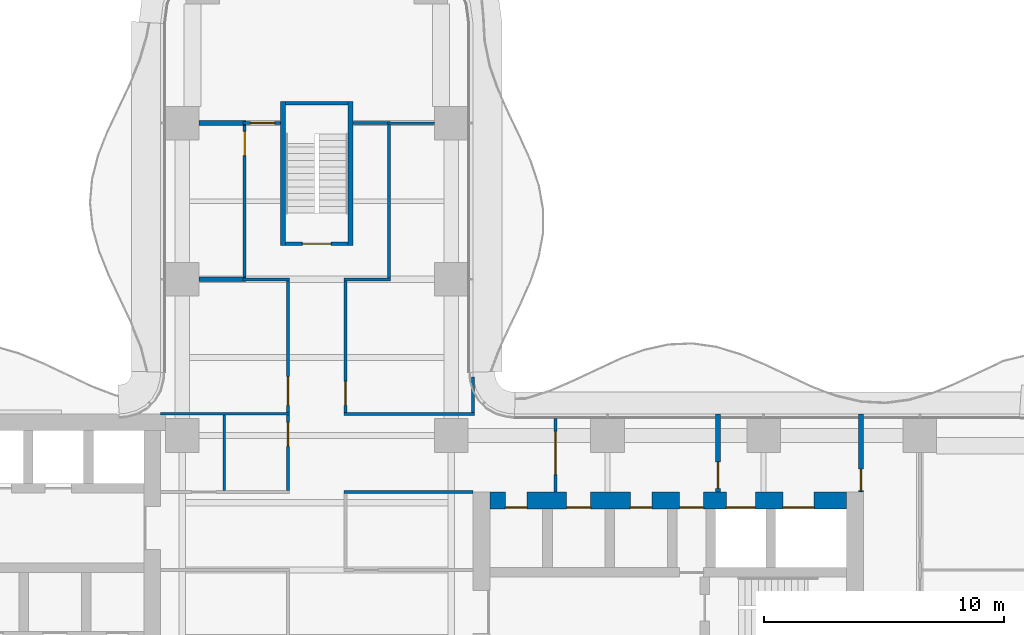
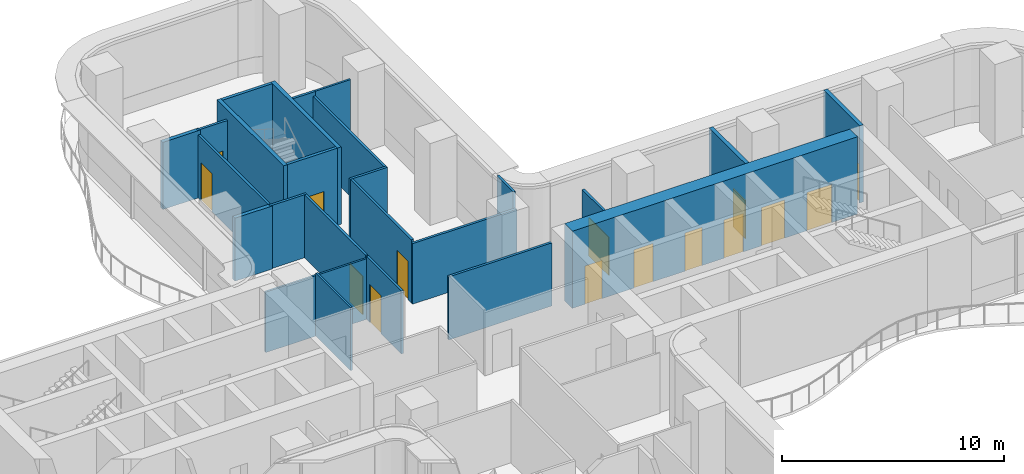
# One storey, part 19 of 22: 25 walls, 15 doors, 15 openings.
"""IFC4 building model written with IfcOpenShell, lengths in metres."""

from ifc_helpers import new_model, si_unit, direction, frame, frame_2d, origin, place, context, subcontext, project, spatial, rectangle, extrude, source, transform, mapped, material, layer, layer_set, type_object, element, fill, save


model = new_model("IFC4")

# Units and contexts
model_context = context("Model", 3, precision=1e-05, world=origin(), true_north=direction((0.0, 1.0)))
body_context = subcontext(model_context, "Body", "Model", "MODEL_VIEW")
ifc_project = project(units=[si_unit("LENGTHUNIT", "METRE"), si_unit("AREAUNIT", "SQUARE_METRE"), si_unit("VOLUMEUNIT", "CUBIC_METRE"), si_unit("PLANEANGLEUNIT", "RADIAN"), si_unit("MASSUNIT", "GRAM", prefix="KILO")], contexts=[model_context])

# Site, building, storey
site_placement = place(None, origin())
site = spatial("IfcSite", under=ifc_project, at=site_placement, CompositionType="ELEMENT")
building_placement = place(site_placement, origin())
building = spatial("IfcBuilding", under=site, at=building_placement, Name="Trellis Farm Tower", CompositionType="ELEMENT")
storey_placement = place(building_placement, frame((0.0, 0.0, 65.5)))
storey = spatial("IfcBuildingStorey", under=building, at=storey_placement, Name="L13", CompositionType="ELEMENT", Elevation=65.5)

# Wall, opening, door
ifc_material_1 = material(Name="Masonry blockwork", Category="masonry")
ifc_layer_1 = layer(ifc_material_1, 0.199951171875)
ifc_layer_set_1 = layer_set([ifc_layer_1], Name="FIRE LOBBY PARTITION 200 BLOCKWORK")
wall_type_1 = type_object("IfcWallType", Name="FIRE LOBBY PARTITION 200 BLOCKWORK", PredefinedType="PARTITIONING", material=ifc_layer_set_1)
shared_shape_1 = source(origin(), body_context, "Body", "SweptSolid", [
    extrude(rectangle(XDim=3.25, YDim=0.199951171875, at=frame_2d((1.625, 0.0))), origin(), (0.0, 0.0, 1.0), 4.25),
])
wall_1_placement = place(storey_placement, frame((16.699951171875, 3.25, 0.0), z_axis=(0.0, 0.0, 1.0), x_axis=(0.0, 1.0, 0.0)))
wall_1 = element("IfcWall", 1, at=wall_1_placement, inside=storey, type_object=wall_type_1, Name="Fire-fighting lobby partition", PredefinedType="PARTITIONING", context=body_context, shape_type="MappedRepresentation", body=[
    mapped(shared_shape_1, transform((0.0, 0.0, 0.0))),
])
shared_shape_2 = source(origin(), body_context, "Body", "SweptSolid", [
    extrude(rectangle(XDim=1.10009765625, YDim=2.10009765625, at=frame_2d((0.550048828125, 1.050048828125))), frame((0.0, 0.110107421875, 0.0), z_axis=(0.0, -1.0, 0.0), x_axis=(1.0, 0.0, 0.0)), (0.0, 0.0, 1.0), 0.22021484375),
])
opening_1_placement = place(wall_1_placement, frame((0.14990234375, 0.0, 0.0)))
opening_1 = element("IfcOpeningElement", 2, at=opening_1_placement, cuts=wall_1, Name="Opening DC7", PredefinedType="OPENING", context=body_context, shape_type="MappedRepresentation", body=[
    mapped(shared_shape_2, transform((0.0, 0.0, 0.0))),
])
ifc_material_2 = material(Name="Steel", Category="steel")
door_type_1 = type_object("IfcDoorType", Name="CORE FIRE DOOR 1100 X 2100", OperationType="NOTDEFINED", PredefinedType="DOOR", material=ifc_material_2)
shared_shape_3 = source(origin(), body_context, "Body", "SweptSolid", [
    extrude(rectangle(XDim=1.10009765625, YDim=2.10009765625, at=frame_2d((0.550048828125, 1.050048828125))), frame((0.0, 0.02490234375, 0.0), z_axis=(0.0, -1.0, 0.0), x_axis=(1.0, 0.0, 0.0)), (0.0, 0.0, 1.0), 0.050048828125),
])
door_1_placement = place(opening_1_placement, origin())
door_1 = element("IfcDoor", 3, at=door_1_placement, inside=storey, type_object=door_type_1, Name="Core door", OperationType="SINGLE_SWING_RIGHT", OverallHeight=2.10009765625, OverallWidth=1.10009765625, PredefinedType="DOOR", context=body_context, shape_type="MappedRepresentation", body=[
    mapped(shared_shape_3, transform((0.0, 0.0, 0.0))),
])
fill(opening_1, door_1)

wall_2_placement = place(storey_placement, frame((22.64990234375, 3.25, 0.0), z_axis=(0.0, 0.0, 1.0), x_axis=(0.0, 1.0, 0.0)))
wall_2 = element("IfcWall", 4, at=wall_2_placement, inside=storey, type_object=wall_type_1, Name="Fire-fighting lobby partition", PredefinedType="PARTITIONING", context=body_context, shape_type="MappedRepresentation", body=[
    mapped(shared_shape_1, transform((0.0, 0.0, 0.0))),
])
shared_shape_4 = source(origin(), body_context, "Body", "SweptSolid", [
    extrude(rectangle(XDim=0.89990234375, YDim=2.10009765625, at=frame_2d((0.449951171875, 1.050048828125))), frame((0.0, 0.110107421875, 0.0), z_axis=(0.0, -1.0, 0.0), x_axis=(1.0, 0.0, 0.0)), (0.0, 0.0, 1.0), 0.22021484375),
])
opening_2_placement = place(wall_2_placement, frame((0.050048828125, 0.0, 0.0)))
opening_2 = element("IfcOpeningElement", 5, at=opening_2_placement, cuts=wall_2, Name="Opening DC8", PredefinedType="OPENING", context=body_context, shape_type="MappedRepresentation", body=[
    mapped(shared_shape_4, transform((0.0, 0.0, 0.0))),
])
door_type_2 = type_object("IfcDoorType", Name="CORE FIRE DOOR 900 X 2100", OperationType="NOTDEFINED", PredefinedType="DOOR", material=ifc_material_2)
shared_shape_5 = source(origin(), body_context, "Body", "SweptSolid", [
    extrude(rectangle(XDim=0.89990234375, YDim=2.10009765625, at=frame_2d((0.449951171875, 1.050048828125))), frame((0.0, 0.02490234375, 0.0), z_axis=(0.0, -1.0, 0.0), x_axis=(1.0, 0.0, 0.0)), (0.0, 0.0, 1.0), 0.050048828125),
])
door_2_placement = place(opening_2_placement, origin())
door_2 = element("IfcDoor", 6, at=door_2_placement, inside=storey, type_object=door_type_2, Name="Core door", OperationType="SINGLE_SWING_RIGHT", OverallHeight=2.10009765625, OverallWidth=0.89990234375, PredefinedType="DOOR", context=body_context, shape_type="MappedRepresentation", body=[
    mapped(shared_shape_5, transform((0.0, 0.0, 0.0))),
])
fill(opening_2, door_2)

# Wall, openings, doors
ifc_material_3 = material(Name="Concrete C80/95", Category="concrete")
ifc_layer_2 = layer(ifc_material_3, 0.699951171875)
ifc_layer_set_2 = layer_set([ifc_layer_2], Name="CORE OUTER WALL 700 CONCRETE C80/95")
wall_type_2 = type_object("IfcWallType", Name="CORE OUTER WALL 700 CONCRETE C80/95", PredefinedType="SHEAR", material=ifc_layer_set_2)
shared_shape_6 = source(origin(), body_context, "Body", "SweptSolid", [
    extrude(rectangle(XDim=14.85009765625, YDim=0.699951171875, at=frame_2d((7.425048828125, 0.0))), origin(), (0.0, 0.0, 1.0), 4.25),
])
wall_3_placement = place(storey_placement, frame((7.199951171875, 2.89990234375, 0.0), z_axis=(0.0, 0.0, 1.0), x_axis=(1.0, 0.0, 0.0)))
wall_3 = element("IfcWall", 7, at=wall_3_placement, inside=storey, type_object=wall_type_2, Name="Core wall", PredefinedType="SHEAR", context=body_context, shape_type="MappedRepresentation", body=[
    mapped(shared_shape_6, transform((0.0, 0.0, 0.0))),
])
shared_shape_7 = source(origin(), body_context, "Body", "SweptSolid", [
    extrude(rectangle(XDim=1.300048828125, YDim=2.10009765625, at=frame_2d((0.64990234375, 1.050048828125))), frame((0.0, 0.360107421875, 0.0), z_axis=(0.0, -1.0, 0.0), x_axis=(1.0, 0.0, 0.0)), (0.0, 0.0, 1.0), 0.72021484375),
])
opening_3_placement = place(wall_3_placement, frame((12.199951171875, 0.0, 0.0)))
opening_3 = element("IfcOpeningElement", 8, at=opening_3_placement, cuts=wall_3, Name="Opening LD7", PredefinedType="OPENING", context=body_context, shape_type="MappedRepresentation", body=[
    mapped(shared_shape_7, transform((0.0, 0.0, 0.0))),
])
shared_shape_8 = source(origin(), body_context, "Body", "SweptSolid", [
    extrude(rectangle(XDim=1.199951171875, YDim=2.10009765625, at=frame_2d((0.60009765625, 1.050048828125))), frame((0.0, 0.360107421875, 0.0), z_axis=(0.0, -1.0, 0.0), x_axis=(1.0, 0.0, 0.0)), (0.0, 0.0, 1.0), 0.72021484375),
])
opening_4_placement = place(wall_3_placement, frame((9.85009765625, 0.0, 0.0)))
opening_4 = element("IfcOpeningElement", 9, at=opening_4_placement, cuts=wall_3, Name="Opening LD8", PredefinedType="OPENING", context=body_context, shape_type="MappedRepresentation", body=[
    mapped(shared_shape_8, transform((0.0, 0.0, 0.0))),
])
shared_shape_9 = source(origin(), body_context, "Body", "SweptSolid", [
    extrude(rectangle(XDim=1.0, YDim=2.10009765625, at=frame_2d((0.5, 1.050048828125))), frame((0.0, 0.360107421875, 0.0), z_axis=(0.0, -1.0, 0.0), x_axis=(1.0, 0.0, 0.0)), (0.0, 0.0, 1.0), 0.72021484375),
])
opening_5_placement = place(wall_3_placement, frame((7.89990234375, 0.0, 0.0)))
opening_5 = element("IfcOpeningElement", 10, at=opening_5_placement, cuts=wall_3, Name="Opening DC6", PredefinedType="OPENING", context=body_context, shape_type="MappedRepresentation", body=[
    mapped(shared_shape_9, transform((0.0, 0.0, 0.0))),
])
shared_shape_10 = source(origin(), body_context, "Body", "SweptSolid", [
    extrude(rectangle(XDim=0.89990234375, YDim=2.10009765625, at=frame_2d((0.449951171875, 1.050048828125))), frame((0.0, 0.360107421875, 0.0), z_axis=(0.0, -1.0, 0.0), x_axis=(1.0, 0.0, 0.0)), (0.0, 0.0, 1.0), 0.72021484375),
])
opening_6_placement = place(wall_3_placement, frame((0.64990234375, 0.0, 0.0)))
opening_6 = element("IfcOpeningElement", 11, at=opening_6_placement, cuts=wall_3, Name="Opening DC11", PredefinedType="OPENING", context=body_context, shape_type="MappedRepresentation", body=[
    mapped(shared_shape_10, transform((0.0, 0.0, 0.0))),
])
opening_7_placement = place(wall_3_placement, frame((3.199951171875, 0.0, 0.0)))
opening_7 = element("IfcOpeningElement", 12, at=opening_7_placement, cuts=wall_3, Name="Opening DC26", PredefinedType="OPENING", context=body_context, shape_type="MappedRepresentation", body=[
    mapped(shared_shape_9, transform((0.0, 0.0, 0.0))),
])
opening_8_placement = place(wall_3_placement, frame((5.85009765625, 0.0, 0.0)))
opening_8 = element("IfcOpeningElement", 13, at=opening_8_placement, cuts=wall_3, Name="Opening DC35", PredefinedType="OPENING", context=body_context, shape_type="MappedRepresentation", body=[
    mapped(shared_shape_10, transform((0.0, 0.0, 0.0))),
])
door_type_3 = type_object("IfcDoorType", Name="CORE FIRE DOOR 1000 X 2100", OperationType="NOTDEFINED", PredefinedType="DOOR", material=ifc_material_2)
shared_shape_11 = source(origin(), body_context, "Body", "SweptSolid", [
    extrude(rectangle(XDim=1.0, YDim=2.10009765625, at=frame_2d((0.5, 1.050048828125))), frame((0.0, -0.27490234375, 0.0), z_axis=(0.0, -1.0, 0.0), x_axis=(1.0, 0.0, 0.0)), (0.0, 0.0, 1.0), 0.050048828125),
])
door_3_placement = place(opening_5_placement, origin())
door_3 = element("IfcDoor", 14, at=door_3_placement, inside=storey, type_object=door_type_3, Name="Core door", OperationType="SINGLE_SWING_LEFT", OverallHeight=2.10009765625, OverallWidth=1.0, PredefinedType="DOOR", context=body_context, shape_type="MappedRepresentation", body=[
    mapped(shared_shape_11, transform((0.0, 0.0, 0.0))),
])
fill(opening_5, door_3)
door_4_placement = place(opening_7_placement, origin())
door_4 = element("IfcDoor", 15, at=door_4_placement, inside=storey, type_object=door_type_3, Name="Core door", OperationType="SINGLE_SWING_RIGHT", OverallHeight=2.10009765625, OverallWidth=1.0, PredefinedType="DOOR", context=body_context, shape_type="MappedRepresentation", body=[
    mapped(shared_shape_11, transform((0.0, 0.0, 0.0))),
])
fill(opening_7, door_4)
shared_shape_12 = source(origin(), body_context, "Body", "SweptSolid", [
    extrude(rectangle(XDim=0.89990234375, YDim=2.10009765625, at=frame_2d((0.449951171875, 1.050048828125))), frame((0.0, -0.27490234375, 0.0), z_axis=(0.0, -1.0, 0.0), x_axis=(1.0, 0.0, 0.0)), (0.0, 0.0, 1.0), 0.050048828125),
])
door_5_placement = place(opening_6_placement, origin())
door_5 = element("IfcDoor", 16, at=door_5_placement, inside=storey, type_object=door_type_2, Name="Core door", OperationType="SINGLE_SWING_LEFT", OverallHeight=2.10009765625, OverallWidth=0.89990234375, PredefinedType="DOOR", context=body_context, shape_type="MappedRepresentation", body=[
    mapped(shared_shape_12, transform((0.0, 0.0, 0.0))),
])
fill(opening_6, door_5)
door_6_placement = place(opening_8_placement, origin())
door_6 = element("IfcDoor", 17, at=door_6_placement, inside=storey, type_object=door_type_2, Name="Core door", OperationType="SINGLE_SWING_LEFT", OverallHeight=2.10009765625, OverallWidth=0.89990234375, PredefinedType="DOOR", context=body_context, shape_type="MappedRepresentation", body=[
    mapped(shared_shape_12, transform((0.0, 0.0, 0.0))),
])
fill(opening_8, door_6)
ifc_material_4 = material(Name="Stainless steel", Category="steel")
door_type_4 = type_object("IfcDoorType", Name="LIFT LANDING DOOR 1300 X 2100", OperationType="DOUBLE_DOOR_SLIDING", PredefinedType="DOOR", material=ifc_material_4)
shared_shape_13 = source(origin(), body_context, "Body", "SweptSolid", [
    extrude(rectangle(XDim=1.300048828125, YDim=2.10009765625, at=frame_2d((0.64990234375, 1.050048828125))), frame((0.0, -0.27490234375, 0.0), z_axis=(0.0, -1.0, 0.0), x_axis=(1.0, 0.0, 0.0)), (0.0, 0.0, 1.0), 0.050048828125),
])
door_7_placement = place(opening_3_placement, origin())
door_7 = element("IfcDoor", 18, at=door_7_placement, inside=storey, type_object=door_type_4, Name="Lift landing door", OperationType="DOUBLE_DOOR_SLIDING", OverallHeight=2.10009765625, OverallWidth=1.300048828125, PredefinedType="DOOR", context=body_context, shape_type="MappedRepresentation", body=[
    mapped(shared_shape_13, transform((0.0, 0.0, 0.0))),
])
fill(opening_3, door_7)
door_type_5 = type_object("IfcDoorType", Name="LIFT LANDING DOOR 1200 X 2100", OperationType="DOUBLE_DOOR_SLIDING", PredefinedType="DOOR", material=ifc_material_4)
shared_shape_14 = source(origin(), body_context, "Body", "SweptSolid", [
    extrude(rectangle(XDim=1.199951171875, YDim=2.10009765625, at=frame_2d((0.60009765625, 1.050048828125))), frame((0.0, -0.27490234375, 0.0), z_axis=(0.0, -1.0, 0.0), x_axis=(1.0, 0.0, 0.0)), (0.0, 0.0, 1.0), 0.050048828125),
])
door_8_placement = place(opening_4_placement, origin())
door_8 = element("IfcDoor", 19, at=door_8_placement, inside=storey, type_object=door_type_5, Name="Lift landing door", OperationType="DOUBLE_DOOR_SLIDING", OverallHeight=2.10009765625, OverallWidth=1.199951171875, PredefinedType="DOOR", context=body_context, shape_type="MappedRepresentation", body=[
    mapped(shared_shape_14, transform((0.0, 0.0, 0.0))),
])
fill(opening_4, door_8)

# Walls
ifc_layer_3 = layer(ifc_material_3, 0.199951171875)
ifc_layer_set_3 = layer_set([ifc_layer_3], Name="CORE STAIR ENCLOSURE WALL 200 CONCRETE C80/95")
wall_type_3 = type_object("IfcWallType", Name="CORE STAIR ENCLOSURE WALL 200 CONCRETE C80/95", PredefinedType="SHEAR", material=ifc_layer_set_3)
shared_shape_15 = source(origin(), body_context, "Body", "SweptSolid", [
    extrude(rectangle(XDim=6.0, YDim=0.199951171875, at=frame_2d((3.0, 0.0))), origin(), (0.0, 0.0, 1.0), 4.25),
])
for number, where, z_axis, x_axis, name in (
    (20, (-1.39990234375, 13.5, 0.0), (0.0, 0.0, 1.0), (0.0, 1.0, 0.0), "Stair enclosure wall"),
    (21, (1.39990234375, 13.5, 0.0), (0.0, 0.0, 1.0), (0.0, 1.0, 0.0), "Stair enclosure wall"),
):
    element("IfcWall", number, at=place(storey_placement, frame(where, z_axis=z_axis, x_axis=x_axis)), inside=storey, type_object=wall_type_3, Name=name, PredefinedType="SHEAR", context=body_context, shape_type="MappedRepresentation", body=[
        mapped(shared_shape_15, transform((0.0, 0.0, 0.0))),
    ])

# Wall, opening, door
ifc_layer_4 = layer(ifc_material_3, 0.14990234375)
ifc_layer_set_4 = layer_set([ifc_layer_4], Name="CORE STAIR ENCLOSURE WALL 150 CONCRETE C80/95")
wall_type_4 = type_object("IfcWallType", Name="CORE STAIR ENCLOSURE WALL 150 CONCRETE C80/95", PredefinedType="SHEAR", material=ifc_layer_set_4)
shared_shape_16 = source(origin(), body_context, "Body", "SweptSolid", [
    extrude(rectangle(XDim=2.60009765625, YDim=0.14990234375, at=frame_2d((1.300048828125, 0.0))), origin(), (0.0, 0.0, 1.0), 4.25),
])
wall_4_placement = place(storey_placement, frame((-1.300048828125, 13.574951171875, 0.0), z_axis=(0.0, 0.0, 1.0), x_axis=(1.0, 0.0, 0.0)))
wall_4 = element("IfcWall", 22, at=wall_4_placement, inside=storey, type_object=wall_type_4, Name="Stair enclosure wall", PredefinedType="SHEAR", context=body_context, shape_type="MappedRepresentation", body=[
    mapped(shared_shape_16, transform((0.0, 0.0, 0.0))),
])
shared_shape_17 = source(origin(), body_context, "Body", "SweptSolid", [
    extrude(rectangle(XDim=1.199951171875, YDim=2.10009765625, at=frame_2d((0.60009765625, 1.050048828125))), frame((0.0, 0.0849609375, 0.0), z_axis=(0.0, -1.0, 0.0), x_axis=(1.0, 0.0, 0.0)), (0.0, 0.0, 1.0), 0.169921875),
])
opening_9_placement = place(wall_4_placement, frame((0.699951171875, 0.0, 0.0)))
opening_9 = element("IfcOpeningElement", 23, at=opening_9_placement, cuts=wall_4, Name="Opening DC173", PredefinedType="OPENING", context=body_context, shape_type="MappedRepresentation", body=[
    mapped(shared_shape_17, transform((0.0, 0.0, 0.0))),
])
door_type_6 = type_object("IfcDoorType", Name="CORE FIRE DOOR 1200 X 2100", OperationType="NOTDEFINED", PredefinedType="DOOR", material=ifc_material_2)
shared_shape_18 = source(origin(), body_context, "Body", "SweptSolid", [
    extrude(rectangle(XDim=1.199951171875, YDim=2.10009765625, at=frame_2d((0.60009765625, 1.050048828125))), frame((0.0, 0.02490234375, 0.0), z_axis=(0.0, -1.0, 0.0), x_axis=(1.0, 0.0, 0.0)), (0.0, 0.0, 1.0), 0.050048828125),
])
door_9_placement = place(opening_9_placement, origin())
door_9 = element("IfcDoor", 24, at=door_9_placement, inside=storey, type_object=door_type_6, Name="Core door", OperationType="SINGLE_SWING_LEFT", OverallHeight=2.10009765625, OverallWidth=1.199951171875, PredefinedType="DOOR", context=body_context, shape_type="MappedRepresentation", body=[
    mapped(shared_shape_18, transform((0.0, 0.0, 0.0))),
])
fill(opening_9, door_9)

# Wall
wall_5_placement = place(storey_placement, frame((-1.300048828125, 19.425048828125, 0.0), z_axis=(0.0, 0.0, 1.0), x_axis=(1.0, 0.0, 0.0)))
element("IfcWall", 25, at=wall_5_placement, inside=storey, type_object=wall_type_4, Name="Stair enclosure wall", PredefinedType="SHEAR", context=body_context, shape_type="MappedRepresentation", body=[
    mapped(shared_shape_16, transform((0.0, 0.0, 0.0))),
])

# Wall, opening, door
ifc_material_5 = material(Name="Plasterboard on steel studs, mineral wool", Category="steel")
ifc_layer_5 = layer(ifc_material_5, 0.125)
ifc_layer_set_5 = layer_set([ifc_layer_5], Name="PARTITION 125 STUD EI 60")
wall_type_5 = type_object("IfcWallType", Name="PARTITION 125 STUD EI 60", PredefinedType="PARTITIONING", material=ifc_layer_set_5)
shared_shape_19 = source(origin(), body_context, "Body", "SweptSolid", [
    extrude(rectangle(XDim=5.47509765625, YDim=0.125, at=frame_2d((2.737548828125, 0.0))), origin(), (0.0, 0.0, 1.0), 3.4677734375),
])
wall_6_placement = place(storey_placement, frame((1.199951171875, 12.03759765625, 0.0), z_axis=(0.0, 0.0, 1.0), x_axis=(0.0, -1.0, 0.0)))
wall_6 = element("IfcWall", 26, at=wall_6_placement, inside=storey, type_object=wall_type_5, Name="Partition PW1", PredefinedType="PARTITIONING", context=body_context, shape_type="MappedRepresentation", body=[
    mapped(shared_shape_19, transform((0.0, 0.0, 0.0))),
])
shared_shape_20 = source(origin(), body_context, "Body", "SweptSolid", [
    extrude(rectangle(XDim=1.0, YDim=2.10009765625, at=frame_2d((0.5, 1.050048828125))), frame((0.0, 0.072509765625, 0.0), z_axis=(0.0, -1.0, 0.0), x_axis=(1.0, 0.0, 0.0)), (0.0, 0.0, 1.0), 0.14501953125),
])
opening_10_placement = place(wall_6_placement, frame((4.1875, 0.0, 0.0)))
opening_10 = element("IfcOpeningElement", 27, at=opening_10_placement, cuts=wall_6, Name="Opening D112", PredefinedType="OPENING", context=body_context, shape_type="MappedRepresentation", body=[
    mapped(shared_shape_20, transform((0.0, 0.0, 0.0))),
])
ifc_material_6 = material(Name="Fire-rated timber door leaf in a hollow metal frame", Category="wood")
door_type_7 = type_object("IfcDoorType", Name="DOOR 1000x2100 FD30S", OperationType="NOTDEFINED", PredefinedType="DOOR", material=ifc_material_6)
shared_shape_21 = source(origin(), body_context, "Body", "SweptSolid", [
    extrude(rectangle(XDim=1.0, YDim=2.10009765625, at=frame_2d((0.5, 1.050048828125))), frame((0.0, 0.02490234375, 0.0), z_axis=(0.0, -1.0, 0.0), x_axis=(1.0, 0.0, 0.0)), (0.0, 0.0, 1.0), 0.050048828125),
])
door_10_placement = place(opening_10_placement, origin())
door_10 = element("IfcDoor", 28, at=door_10_placement, inside=storey, type_object=door_type_7, Name="Door D112", OperationType="SINGLE_SWING_RIGHT", OverallHeight=2.10009765625, OverallWidth=1.0, PredefinedType="DOOR", context=body_context, shape_type="MappedRepresentation", body=[
    mapped(shared_shape_21, transform((0.0, 0.0, 0.0))),
])
fill(opening_10, door_10)

# Walls
shared_shape_22 = source(origin(), body_context, "Body", "SweptSolid", [
    extrude(rectangle(XDim=1.468994140625, YDim=0.125, at=frame_2d((0.734375, 0.0))), origin(), (0.0, 0.0, 1.0), 4.25),
])
wall_7_placement = place(storey_placement, frame((6.5, 6.5625, 0.0), z_axis=(0.0, 0.0, 1.0), x_axis=(0.0, 1.0, 0.0)))
element("IfcWall", 29, at=wall_7_placement, inside=storey, type_object=wall_type_5, Name="Partition PW1", PredefinedType="PARTITIONING", context=body_context, shape_type="MappedRepresentation", body=[
    mapped(shared_shape_22, transform((0.0, 0.0, 0.0))),
])
shared_shape_23 = source(origin(), body_context, "Body", "SweptSolid", [
    extrude(rectangle(XDim=1.925048828125, YDim=0.125, at=frame_2d((0.96240234375, 0.0))), origin(), (0.0, 0.0, 1.0), 3.4677734375),
])
for number, where, z_axis, x_axis, name in (
    (30, (-1.137451171875, 12.10009765625, 0.0), (0.0, 0.0, 1.0), (-1.0, 0.0, 0.0), "Partition PW1"),
    (31, (3.0625, 12.10009765625, 0.0), (0.0, 0.0, 1.0), (-1.0, 0.0, 0.0), "Partition PW1"),
):
    element("IfcWall", number, at=place(storey_placement, frame(where, z_axis=z_axis, x_axis=x_axis)), inside=storey, type_object=wall_type_5, Name=name, PredefinedType="PARTITIONING", context=body_context, shape_type="MappedRepresentation", body=[
        mapped(shared_shape_23, transform((0.0, 0.0, 0.0))),
    ])
shared_shape_24 = source(origin(), body_context, "Body", "SweptSolid", [
    extrude(rectangle(XDim=5.362548828125, YDim=0.125, at=frame_2d((2.68115234375, 0.0))), origin(), (0.0, 0.0, 1.0), 3.4677734375),
])
wall_8_placement = place(storey_placement, frame((1.137451171875, 3.25, 0.0), z_axis=(0.0, 0.0, 1.0), x_axis=(1.0, 0.0, 0.0)))
element("IfcWall", 32, at=wall_8_placement, inside=storey, type_object=wall_type_5, Name="Partition PW1", PredefinedType="PARTITIONING", context=body_context, shape_type="MappedRepresentation", body=[
    mapped(shared_shape_24, transform((0.0, 0.0, 0.0))),
])
shared_shape_25 = source(origin(), body_context, "Body", "SweptSolid", [
    extrude(rectangle(XDim=5.425048828125, YDim=0.125, at=frame_2d((2.71240234375, 0.0))), origin(), (0.0, 0.0, 1.0), 3.330078125),
])
wall_9_placement = place(storey_placement, frame((1.137451171875, 6.5, 0.0), z_axis=(0.0, 0.0, 1.0), x_axis=(1.0, 0.0, 0.0)))
element("IfcWall", 33, at=wall_9_placement, inside=storey, type_object=wall_type_5, Name="Partition PW1", PredefinedType="PARTITIONING", context=body_context, shape_type="MappedRepresentation", body=[
    mapped(shared_shape_25, transform((0.0, 0.0, 0.0))),
])
ifc_material_7 = material(Name="Lightweight blockwork, plastered", Category="masonry")
ifc_layer_6 = layer(ifc_material_7, 0.199951171875)
ifc_layer_set_6 = layer_set([ifc_layer_6], Name="BLOCK WALL 200 EI 120")
wall_type_6 = type_object("IfcWallType", Name="BLOCK WALL 200 EI 120", PredefinedType="PARTITIONING", material=ifc_layer_set_6)
shared_shape_26 = source(origin(), body_context, "Body", "SweptSolid", [
    extrude(rectangle(XDim=1.96240234375, YDim=0.199951171875, at=frame_2d((0.981201171875, 0.0))), origin(), (0.0, 0.0, 1.0), 3.4677734375),
])
wall_10_placement = place(storey_placement, frame((-4.89990234375, 12.10009765625, 0.0), z_axis=(0.0, 0.0, 1.0), x_axis=(1.0, 0.0, 0.0)))
element("IfcWall", 34, at=wall_10_placement, inside=storey, type_object=wall_type_6, Name="Partition PW3", PredefinedType="PARTITIONING", context=body_context, shape_type="MappedRepresentation", body=[
    mapped(shared_shape_26, transform((0.0, 0.0, 0.0))),
])

# Wall, opening, door
shared_shape_27 = source(origin(), body_context, "Body", "SweptSolid", [
    extrude(rectangle(XDim=6.300048828125, YDim=0.125, at=frame_2d((3.14990234375, 0.0))), origin(), (0.0, 0.0, 1.0), 3.4677734375),
])
wall_11_placement = place(storey_placement, frame((-3.0, 12.199951171875, 0.0), z_axis=(0.0, 0.0, 1.0), x_axis=(0.0, 1.0, 0.0)))
wall_11 = element("IfcWall", 35, at=wall_11_placement, inside=storey, type_object=wall_type_5, Name="Partition PW1", PredefinedType="PARTITIONING", context=body_context, shape_type="MappedRepresentation", body=[
    mapped(shared_shape_27, transform((0.0, 0.0, 0.0))),
])
opening_11_placement = place(wall_11_placement, frame((5.050048828125, 0.0, 0.0)))
opening_11 = element("IfcOpeningElement", 36, at=opening_11_placement, cuts=wall_11, Name="Opening D113", PredefinedType="OPENING", context=body_context, shape_type="MappedRepresentation", body=[
    mapped(shared_shape_20, transform((0.0, 0.0, 0.0))),
])
door_11_placement = place(opening_11_placement, origin())
door_11 = element("IfcDoor", 37, at=door_11_placement, inside=storey, type_object=door_type_7, Name="Door D113", OperationType="SINGLE_SWING_RIGHT", OverallHeight=2.10009765625, OverallWidth=1.0, PredefinedType="DOOR", context=body_context, shape_type="MappedRepresentation", body=[
    mapped(shared_shape_21, transform((0.0, 0.0, 0.0))),
])
fill(opening_11, door_11)

shared_shape_28 = source(origin(), body_context, "Body", "SweptSolid", [
    extrude(rectangle(XDim=3.137451171875, YDim=0.125, at=frame_2d((1.56884765625, 0.0))), origin(), (0.0, 0.0, 1.0), 3.4677734375),
])
wall_12_placement = place(storey_placement, frame((-1.199951171875, 6.449951171875, 0.0), z_axis=(0.0, 0.0, 1.0), x_axis=(0.0, -1.0, 0.0)))
wall_12 = element("IfcWall", 38, at=wall_12_placement, inside=storey, type_object=wall_type_5, Name="Partition PW1", PredefinedType="PARTITIONING", context=body_context, shape_type="MappedRepresentation", body=[
    mapped(shared_shape_28, transform((0.0, 0.0, 0.0))),
])
opening_12_placement = place(wall_12_placement, frame((0.300048828125, 0.0, 0.0)))
opening_12 = element("IfcOpeningElement", 39, at=opening_12_placement, cuts=wall_12, Name="Opening D111", PredefinedType="OPENING", context=body_context, shape_type="MappedRepresentation", body=[
    mapped(shared_shape_20, transform((0.0, 0.0, 0.0))),
])
door_12_placement = place(opening_12_placement, origin())
door_12 = element("IfcDoor", 40, at=door_12_placement, inside=storey, type_object=door_type_7, Name="Door D111", OperationType="SINGLE_SWING_LEFT", OverallHeight=2.10009765625, OverallWidth=1.0, PredefinedType="DOOR", context=body_context, shape_type="MappedRepresentation", body=[
    mapped(shared_shape_21, transform((0.0, 0.0, 0.0))),
])
fill(opening_12, door_12)

shared_shape_29 = source(origin(), body_context, "Body", "SweptSolid", [
    extrude(rectangle(XDim=5.487548828125, YDim=0.125, at=frame_2d((2.74365234375, 0.0))), origin(), (0.0, 0.0, 1.0), 3.4677734375),
])
wall_13_placement = place(storey_placement, frame((-1.199951171875, 6.550048828125, 0.0), z_axis=(0.0, 0.0, 1.0), x_axis=(0.0, 1.0, 0.0)))
wall_13 = element("IfcWall", 41, at=wall_13_placement, inside=storey, type_object=wall_type_5, Name="Partition PW1", PredefinedType="PARTITIONING", context=body_context, shape_type="MappedRepresentation", body=[
    mapped(shared_shape_29, transform((0.0, 0.0, 0.0))),
])
shared_shape_30 = source(origin(), body_context, "Body", "SweptSolid", [
    extrude(rectangle(XDim=1.199951171875, YDim=2.10009765625, at=frame_2d((0.60009765625, 1.050048828125))), frame((0.0, 0.072509765625, 0.0), z_axis=(0.0, -1.0, 0.0), x_axis=(1.0, 0.0, 0.0)), (0.0, 0.0, 1.0), 0.14501953125),
])
opening_13_placement = place(wall_13_placement, frame((0.300048828125, 0.0, 0.0)))
opening_13 = element("IfcOpeningElement", 42, at=opening_13_placement, cuts=wall_13, Name="Opening D603", PredefinedType="OPENING", context=body_context, shape_type="MappedRepresentation", body=[
    mapped(shared_shape_30, transform((0.0, 0.0, 0.0))),
])
door_type_8 = type_object("IfcDoorType", Name="DOOR 1200x2100 FD30S", OperationType="NOTDEFINED", PredefinedType="DOOR", material=ifc_material_6)
door_13_placement = place(opening_13_placement, origin())
door_13 = element("IfcDoor", 43, at=door_13_placement, inside=storey, type_object=door_type_8, Name="Door D603", OperationType="SINGLE_SWING_LEFT", OverallHeight=2.10009765625, OverallWidth=1.199951171875, PredefinedType="DOOR", context=body_context, shape_type="MappedRepresentation", body=[
    mapped(shared_shape_18, transform((0.0, 0.0, 0.0))),
])
fill(opening_13, door_13)

# Wall
ifc_material_8 = material(Name="Plasterboard on steel studs", Category="steel")
ifc_layer_7 = layer(ifc_material_8, 0.10009765625)
ifc_layer_set_7 = layer_set([ifc_layer_7], Name="PARTITION 100 STUD EI 30")
wall_type_7 = type_object("IfcWallType", Name="PARTITION 100 STUD EI 30", PredefinedType="PARTITIONING", material=ifc_layer_set_7)
shared_shape_31 = source(origin(), body_context, "Body", "SweptSolid", [
    extrude(rectangle(XDim=5.362548828125, YDim=0.10009765625, at=frame_2d((2.68115234375, 0.0))), origin(), (0.0, 0.0, 1.0), 3.330078125),
])
wall_14_placement = place(storey_placement, frame((-6.5, 6.5, 0.0), z_axis=(0.0, 0.0, 1.0), x_axis=(1.0, 0.0, 0.0)))
element("IfcWall", 44, at=wall_14_placement, inside=storey, type_object=wall_type_7, Name="Partition PW2", PredefinedType="PARTITIONING", context=body_context, shape_type="MappedRepresentation", body=[
    mapped(shared_shape_31, transform((0.0, 0.0, 0.0))),
])

# Wall, opening, door
shared_shape_32 = source(origin(), body_context, "Body", "SweptSolid", [
    extrude(rectangle(XDim=3.050048828125, YDim=0.125, at=frame_2d((1.52490234375, 0.0))), origin(), (0.0, 0.0, 1.0), 3.330078125),
])
wall_15_placement = place(storey_placement, frame((9.93408203125, 3.25, 0.0), z_axis=(0.0, 0.0, 1.0), x_axis=(0.0, 1.0, 0.0)))
wall_15 = element("IfcWall", 45, at=wall_15_placement, inside=storey, type_object=wall_type_5, Name="Partition PW1", PredefinedType="PARTITIONING", context=body_context, shape_type="MappedRepresentation", body=[
    mapped(shared_shape_32, transform((0.0, 0.0, 0.0))),
])
shared_shape_33 = source(origin(), body_context, "Body", "SweptSolid", [
    extrude(rectangle(XDim=1.800048828125, YDim=2.10009765625, at=frame_2d((0.89990234375, 1.050048828125))), frame((0.0, 0.072509765625, 0.0), z_axis=(0.0, -1.0, 0.0), x_axis=(1.0, 0.0, 0.0)), (0.0, 0.0, 1.0), 0.14501953125),
])
opening_14_placement = place(wall_15_placement, frame((0.72509765625, 0.0, 0.0)))
opening_14 = element("IfcOpeningElement", 46, at=opening_14_placement, cuts=wall_15, Name="Opening D402", PredefinedType="OPENING", context=body_context, shape_type="MappedRepresentation", body=[
    mapped(shared_shape_33, transform((0.0, 0.0, 0.0))),
])
door_type_9 = type_object("IfcDoorType", Name="DOOR PAIR 1800x2100 FD60", OperationType="NOTDEFINED", PredefinedType="DOOR", material=ifc_material_6)
shared_shape_34 = source(origin(), body_context, "Body", "SweptSolid", [
    extrude(rectangle(XDim=1.800048828125, YDim=2.10009765625, at=frame_2d((0.89990234375, 1.050048828125))), frame((0.0, 0.02490234375, 0.0), z_axis=(0.0, -1.0, 0.0), x_axis=(1.0, 0.0, 0.0)), (0.0, 0.0, 1.0), 0.050048828125),
])
door_14_placement = place(opening_14_placement, origin())
door_14 = element("IfcDoor", 47, at=door_14_placement, inside=storey, type_object=door_type_9, Name="Door D402", OperationType="DOUBLE_DOOR_SINGLE_SWING", OverallHeight=2.10009765625, OverallWidth=1.800048828125, PredefinedType="DOOR", context=body_context, shape_type="MappedRepresentation", body=[
    mapped(shared_shape_34, transform((0.0, 0.0, 0.0))),
])
fill(opening_14, door_14)

shared_shape_35 = source(origin(), body_context, "Body", "SweptSolid", [
    extrude(rectangle(XDim=1.5625, YDim=0.125, at=frame_2d((0.78125, 0.0))), origin(), (0.0, 0.0, 1.0), 3.697021484375),
])
wall_16_placement = place(storey_placement, frame((-3.0625, 18.60009765625, 0.0), z_axis=(0.0, 0.0, 1.0), x_axis=(1.0, 0.0, 0.0)))
wall_16 = element("IfcWall", 48, at=wall_16_placement, inside=storey, type_object=wall_type_5, Name="Partition PW1", PredefinedType="PARTITIONING", context=body_context, shape_type="MappedRepresentation", body=[
    mapped(shared_shape_35, transform((0.0, 0.0, 0.0))),
])
opening_15_placement = place(wall_16_placement, frame((0.3125, 0.0, 0.0)))
opening_15 = element("IfcOpeningElement", 49, at=opening_15_placement, cuts=wall_16, Name="Opening D114", PredefinedType="OPENING", context=body_context, shape_type="MappedRepresentation", body=[
    mapped(shared_shape_20, transform((0.0, 0.0, 0.0))),
])
door_15_placement = place(opening_15_placement, origin())
door_15 = element("IfcDoor", 50, at=door_15_placement, inside=storey, type_object=door_type_7, Name="Door D114", OperationType="SINGLE_SWING_RIGHT", OverallHeight=2.10009765625, OverallWidth=1.0, PredefinedType="DOOR", context=body_context, shape_type="MappedRepresentation", body=[
    mapped(shared_shape_21, transform((0.0, 0.0, 0.0))),
])
fill(opening_15, door_15)

# Walls
wall_17_placement = place(storey_placement, frame((1.5, 18.60009765625, 0.0), z_axis=(0.0, 0.0, 1.0), x_axis=(1.0, 0.0, 0.0)))
element("IfcWall", 51, at=wall_17_placement, inside=storey, type_object=wall_type_5, Name="Partition PW1", PredefinedType="PARTITIONING", context=body_context, shape_type="MappedRepresentation", body=[
    mapped(shared_shape_35, transform((0.0, 0.0, 0.0))),
])
shared_shape_36 = source(origin(), body_context, "Body", "SweptSolid", [
    extrude(rectangle(XDim=3.137451171875, YDim=0.10009765625, at=frame_2d((1.56884765625, 0.0))), origin(), (0.0, 0.0, 1.0), 3.4677734375),
])
wall_18_placement = place(storey_placement, frame((-3.85009765625, 3.3125, 0.0), z_axis=(0.0, 0.0, 1.0), x_axis=(0.0, 1.0, 0.0)))
element("IfcWall", 52, at=wall_18_placement, inside=storey, type_object=wall_type_7, Name="Partition PW2", PredefinedType="PARTITIONING", context=body_context, shape_type="MappedRepresentation", body=[
    mapped(shared_shape_36, transform((0.0, 0.0, 0.0))),
])
shared_shape_37 = source(origin(), body_context, "Body", "SweptSolid", [
    extrude(rectangle(XDim=6.387451171875, YDim=0.125, at=frame_2d((3.19384765625, 0.0))), origin(), (0.0, 0.0, 1.0), 3.4677734375),
])
wall_19_placement = place(storey_placement, frame((3.0, 18.550048828125, 0.0), z_axis=(0.0, 0.0, 1.0), x_axis=(0.0, -1.0, 0.0)))
element("IfcWall", 53, at=wall_19_placement, inside=storey, type_object=wall_type_5, Name="Partition PW1", PredefinedType="PARTITIONING", context=body_context, shape_type="MappedRepresentation", body=[
    mapped(shared_shape_37, transform((0.0, 0.0, 0.0))),
])
shared_shape_38 = source(origin(), body_context, "Body", "SweptSolid", [
    extrude(rectangle(XDim=1.96240234375, YDim=0.199951171875, at=frame_2d((0.981201171875, 0.0))), origin(), (0.0, 0.0, 1.0), 3.697021484375),
])
wall_20_placement = place(storey_placement, frame((-4.89990234375, 18.60009765625, 0.0), z_axis=(0.0, 0.0, 1.0), x_axis=(1.0, 0.0, 0.0)))
element("IfcWall", 54, at=wall_20_placement, inside=storey, type_object=wall_type_6, Name="Partition PW3", PredefinedType="PARTITIONING", context=body_context, shape_type="MappedRepresentation", body=[
    mapped(shared_shape_38, transform((0.0, 0.0, 0.0))),
])
shared_shape_39 = source(origin(), body_context, "Body", "SweptSolid", [
    extrude(rectangle(XDim=1.96240234375, YDim=0.10009765625, at=frame_2d((0.981201171875, 0.0))), origin(), (0.0, 0.0, 1.0), 3.697021484375),
])
wall_21_placement = place(storey_placement, frame((2.9375, 18.60009765625, 0.0), z_axis=(0.0, 0.0, 1.0), x_axis=(1.0, 0.0, 0.0)))
element("IfcWall", 55, at=wall_21_placement, inside=storey, type_object=wall_type_7, Name="Partition PW2", PredefinedType="PARTITIONING", context=body_context, shape_type="MappedRepresentation", body=[
    mapped(shared_shape_39, transform((0.0, 0.0, 0.0))),
])

save(model, "model.ifc")
